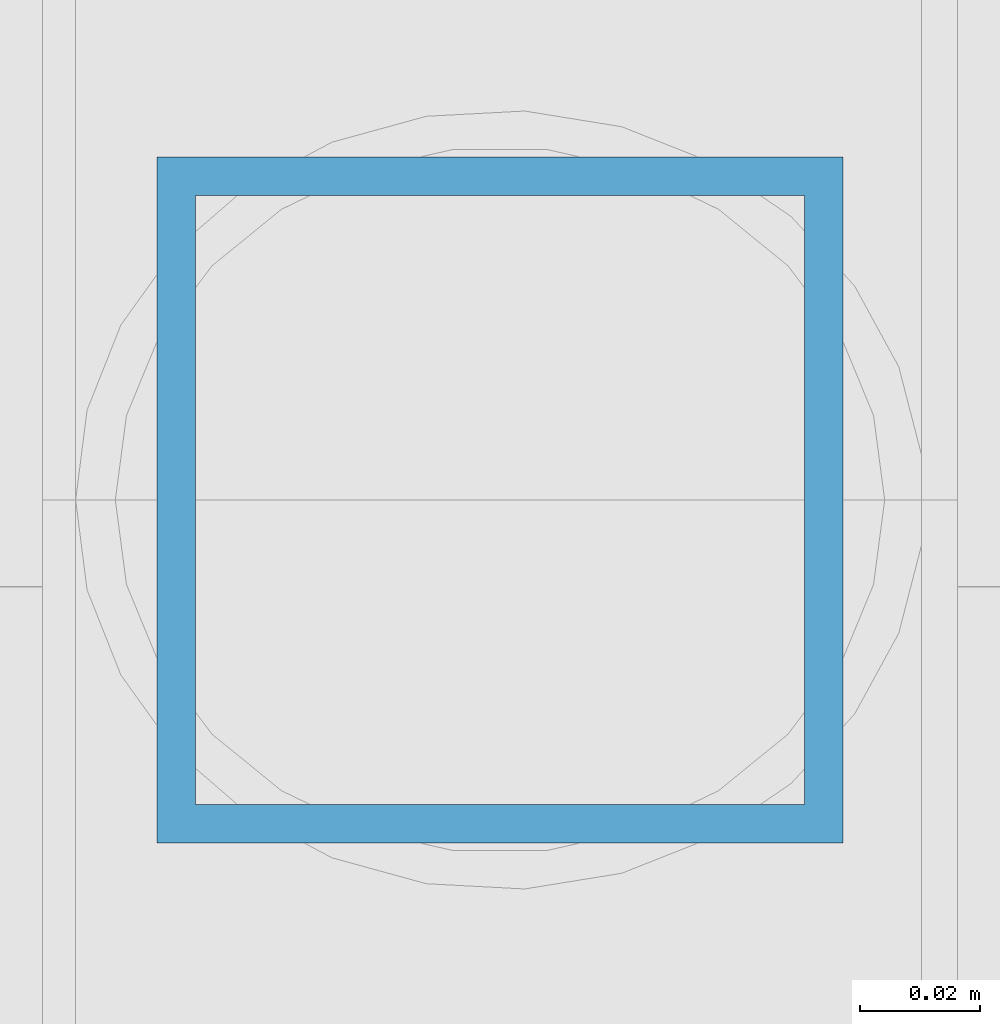
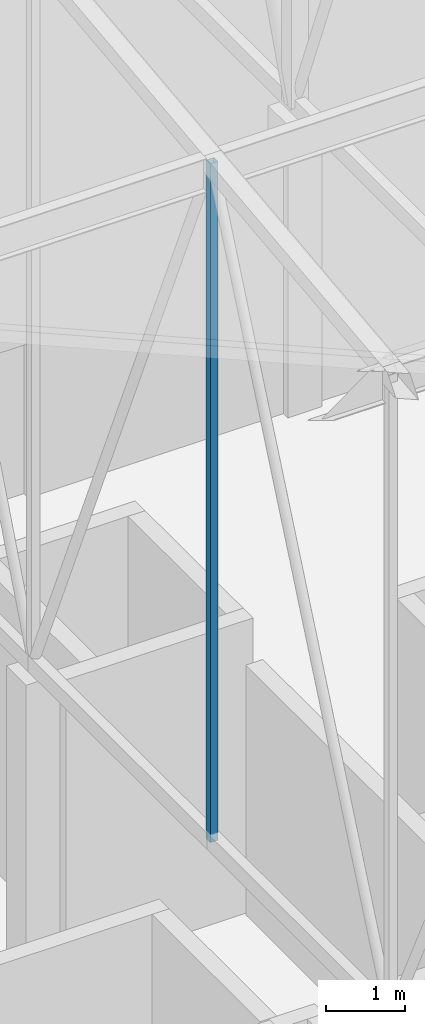
# One storey, part 128 of 500: 1 member.
"""IFC4 building model written with IfcOpenShell, lengths in metres."""

import ifcopenshell
import ifcopenshell.guid

model = None  # the IFC model being written
_history = None  # IfcOwnerHistory: only IFC2X3 demands one
_inside = {}  # id of a spatial element -> (the spatial element, [elements in it])
_under = {}  # id of a project, library or spatial element -> (it, [spatial elements below it])
_declared = {}  # id of a project -> (the project, [libraries it declares])
_typed = {}  # id of a type object -> (the type object, [elements of that type])
_made_of = {}  # id of a material, layer set ... -> (it, [elements and type objects made of it])


def new_model(schema):
    """Start an empty IFC model of exactly this schema.

    Asked for "IFC4X3", IfcOpenShell would pick the latest addendum, in which some entities
    have other attributes; the version numbers below select the first issue.
    IFC2X3 requires an IfcOwnerHistory on every rooted entity: one is made here for all.
    """
    global model, _history
    if schema == "IFC4X3":
        model = ifcopenshell.file(schema_version=(4, 3, 0, 0))
    else:
        model = ifcopenshell.file(schema=schema)
    _inside.clear()
    _under.clear()
    _declared.clear()
    _typed.clear()
    _made_of.clear()
    _history = None
    if model.schema == "IFC2X3":
        org = make("IfcOrganization", Name="unknown")
        user = make(
            "IfcPersonAndOrganization",
            ThePerson=make("IfcPerson", FamilyName="unknown"),
            TheOrganization=org,
        )
        app = make(
            "IfcApplication",
            ApplicationDeveloper=org,
            Version="unknown",
            ApplicationFullName="unknown",
            ApplicationIdentifier="unknown",
        )
        _history = make(
            "IfcOwnerHistory",
            OwningUser=user,
            OwningApplication=app,
            ChangeAction="ADDED",
            CreationDate=0,
        )
    return model


def make(cls, **values):
    """One entity of the class cls with the attributes given. An attribute that is None is left unset."""
    return model.create_entity(
        cls, **{name: value for name, value in values.items() if value is not None}
    )


def rooted(cls, **values):
    """An entity with a GlobalId (a new one), such as an element, a storey or a relation."""
    return make(cls, GlobalId=ifcopenshell.guid.new(), OwnerHistory=_history, **values)


def si_unit(unit_type, name, prefix=None):
    """IfcSIUnit, for example si_unit("LENGTHUNIT", "METRE", prefix="MILLI")."""
    return make("IfcSIUnit", UnitType=unit_type, Prefix=prefix, Name=name)


def assignment(units):
    """IfcUnitAssignment: the units of a project."""
    return None if units is None else make("IfcUnitAssignment", Units=units)


def point(xyz):
    """IfcCartesianPoint."""
    return None if xyz is None else make("IfcCartesianPoint", Coordinates=xyz)


def direction(xyz):
    """IfcDirection."""
    return None if xyz is None else make("IfcDirection", DirectionRatios=xyz)


def frame(location, z_axis=None, x_axis=None):
    """IfcAxis2Placement3D, a coordinate frame: its origin and axes. An axis left out is left unset."""
    return make(
        "IfcAxis2Placement3D",
        Location=point(location),
        Axis=direction(z_axis),
        RefDirection=direction(x_axis),
    )


def frame_2d(location, x_axis=None):
    """IfcAxis2Placement2D, a coordinate frame in the plane: its origin and x axis."""
    return make(
        "IfcAxis2Placement2D", Location=point(location), RefDirection=direction(x_axis)
    )


def origin():
    """The frame at (0, 0, 0) with its axes left unset."""
    return frame((0.0, 0.0, 0.0))


def origin_2d():
    """The frame at (0, 0) in the plane with its x axis left unset."""
    return frame_2d((0.0, 0.0))


def place(relative_to, where):
    """IfcLocalPlacement: puts the frame where relative to a parent placement (None: the world)."""
    return make(
        "IfcLocalPlacement", PlacementRelTo=relative_to, RelativePlacement=where
    )


def context(
    kind, dimensions, precision=None, world=None, true_north=None, identifier=None
):
    """IfcGeometricRepresentationContext, for example the 3D "Model" context."""
    return make(
        "IfcGeometricRepresentationContext",
        ContextIdentifier=identifier,
        ContextType=kind,
        CoordinateSpaceDimension=dimensions,
        Precision=precision,
        WorldCoordinateSystem=world,
        TrueNorth=true_north,
    )


def subcontext(parent, identifier, kind, view, scale=None):
    """IfcGeometricRepresentationSubContext, for example "Body" below "Model"."""
    return make(
        "IfcGeometricRepresentationSubContext",
        ContextIdentifier=identifier,
        ContextType=kind,
        ParentContext=parent,
        TargetScale=scale,
        TargetView=view,
    )


def project(units=None, contexts=None):
    """IfcProject with its units and contexts."""
    return rooted(
        "IfcProject",
        Name="project",
        RepresentationContexts=contexts,
        UnitsInContext=assignment(units),
    )


def spatial(cls, under=None, at=None, **own):
    """A site, building, storey or space (cls), placed at a placement, below another one or the project."""
    s = rooted(cls, ObjectPlacement=at, **own)
    if under is not None:
        _under.setdefault(under.id(), (under, []))[1].append(s)
    return s


def profile(cls, at=None, kind="AREA", **sizes):
    """A parametric profile (cls). Its sizes go by their IFC names, for example OverallWidth=200.0."""
    return make(cls, ProfileType=kind, Position=at, **sizes)


def hollow_rectangle(**sizes):
    """IfcRectangleHollowProfileDef."""
    return profile("IfcRectangleHollowProfileDef", **sizes)


def extrude(swept, where, along, depth):
    """IfcExtrudedAreaSolid: the profile swept, set in the frame where, extruded along a direction by depth."""
    return make(
        "IfcExtrudedAreaSolid",
        SweptArea=swept,
        Position=where,
        ExtrudedDirection=direction(along),
        Depth=depth,
    )


def shape(context_of_items, identifier, shape_type, items):
    """IfcShapeRepresentation: the items that make up one representation, for example the "Body"."""
    return make(
        "IfcShapeRepresentation",
        ContextOfItems=context_of_items,
        RepresentationIdentifier=identifier,
        RepresentationType=shape_type,
        Items=items,
    )


def material(Name=None, Category=None):
    """IfcMaterial."""
    return make("IfcMaterial", Name=Name, Category=Category)


def material_profile(
    of_material, cross_section, Name=None, Category=None, Priority=None
):
    """IfcMaterialProfile: a cross section and its material."""
    return make(
        "IfcMaterialProfile",
        Name=Name,
        Material=of_material,
        Profile=cross_section,
        Priority=Priority,
        Category=Category,
    )


def profile_set(profiles, Name=None, composite=None):
    """IfcMaterialProfileSet."""
    return make(
        "IfcMaterialProfileSet",
        Name=Name,
        MaterialProfiles=profiles,
        CompositeProfile=composite,
    )


def made_of(thing, what):
    """Note that an element or type object is made of a material, layer set ...; save() writes the relation."""
    if what is not None:
        _made_of.setdefault(what.id(), (what, []))[1].append(thing)
    return thing


def type_object(cls, material=None, **own):
    """A type object (cls), such as IfcWallType, which elements share."""
    return made_of(rooted(cls, **own), material)


def element(
    cls,
    number,
    at=None,
    inside=None,
    cuts=None,
    type_object=None,
    material=None,
    context=None,
    identifier="Body",
    shape_type=None,
    held_by="IfcProductDefinitionShape",
    body=None,
    shapes=None,
    **own,
):
    """One element of the class cls, such as IfcWall. Its Tag is "e" and its number.

    at: its placement. inside: the storey or other place that contains it. cuts: it is an
    opening in that element (IfcRelVoidsElement). A single representation is given by context,
    identifier, shape_type and body (its items); several are given by shapes. held_by: the class
    of the entity that holds the representations. save() writes the other relations.
    """
    e = rooted(cls, Tag="e%d" % number, ObjectPlacement=at, **own)
    if body is not None:
        shapes = [shape(context, identifier, shape_type, body)]
    if shapes is not None:
        e.Representation = make(held_by, Representations=shapes)
    if inside is not None:
        _inside.setdefault(inside.id(), (inside, []))[1].append(e)
    if cuts is not None:
        rooted(
            "IfcRelVoidsElement", RelatingBuildingElement=cuts, RelatedOpeningElement=e
        )
    if type_object is not None:
        _typed.setdefault(type_object.id(), (type_object, []))[1].append(e)
    return made_of(e, material)


def aggregate(whole, parts):
    """IfcRelAggregates: a whole, such as a stair, and the parts it consists of."""
    return rooted("IfcRelAggregates", RelatingObject=whole, RelatedObjects=parts)


def save(model, path):
    """Write the relations noted so far, then the file.

    IfcRelAggregates (storeys below a building ...), IfcRelContainedInSpatialStructure (elements
    in a storey), IfcRelDefinesByType, IfcRelAssociatesMaterial and IfcRelDeclares: one each for
    every whole, place, type object, material and project.
    """
    for whole, parts in _under.values():
        aggregate(whole, parts)
    for where, things in _inside.values():
        rooted(
            "IfcRelContainedInSpatialStructure",
            RelatedElements=things,
            RelatingStructure=where,
        )
    for kind, things in _typed.values():
        rooted("IfcRelDefinesByType", RelatedObjects=things, RelatingType=kind)
    for what, things in _made_of.values():
        rooted("IfcRelAssociatesMaterial", RelatedObjects=things, RelatingMaterial=what)
    for by, libraries in _declared.values():
        rooted("IfcRelDeclares", RelatingContext=by, RelatedDefinitions=libraries)
    model.write(path)


model = new_model("IFC4")

# Units and contexts
model_context = context("Model", 3, precision=1e-05, world=origin(), true_north=direction((0.0, 1.0)))
body_context = subcontext(model_context, "Body", "Model", "MODEL_VIEW")
ifc_project = project(units=[si_unit("LENGTHUNIT", "METRE"), si_unit("AREAUNIT", "SQUARE_METRE"), si_unit("VOLUMEUNIT", "CUBIC_METRE"), si_unit("PLANEANGLEUNIT", "RADIAN"), si_unit("MASSUNIT", "GRAM", prefix="KILO")], contexts=[model_context])

# Site, building, storey
site_placement = place(None, origin())
site = spatial("IfcSite", under=ifc_project, at=site_placement, CompositionType="ELEMENT")
building_placement = place(site_placement, origin())
building = spatial("IfcBuilding", under=site, at=building_placement, Name="Shirokan Park Arena", CompositionType="ELEMENT")
storey_placement = place(building_placement, frame((0.0, 0.0, 29.1201171875)))
storey = spatial("IfcBuildingStorey", under=building, at=storey_placement, Name="L06", CompositionType="ELEMENT", Elevation=29.1201171875)

# Member
ifc_material = material(Name="Steel ASTM A500 Grade C", Category="steel")
ifc_material_profile = material_profile(ifc_material, hollow_rectangle(XDim=0.114013671875, YDim=0.114013671875, WallThickness=0.00634765625, at=origin_2d()), Name="HSS114.3X114.3X6.4")
ifc_profile_set = profile_set([ifc_material_profile], Name="Steel ASTM A500 Grade C")
member_type = type_object("IfcMemberType", Name="Truss post HSS114.3X114.3X6.4", PredefinedType="POST", material=ifc_profile_set)
member_placement = place(storey_placement, frame((118.300048828125, 22.75, 4.677001953125), z_axis=(0.0, 0.0, 1.0), x_axis=(1.0, 0.0, 0.0)))
element("IfcMember", 1, at=member_placement, inside=storey, type_object=member_type, Name="Truss T14 post 8", PredefinedType="POST", context=body_context, shape_type="SweptSolid", body=[
    extrude(hollow_rectangle(XDim=0.114013671875, YDim=0.114013671875, WallThickness=0.00634765625, at=origin_2d()), origin(), (0.0, 0.0, 1.0), 10.5458984375),
])

save(model, "model.ifc")
